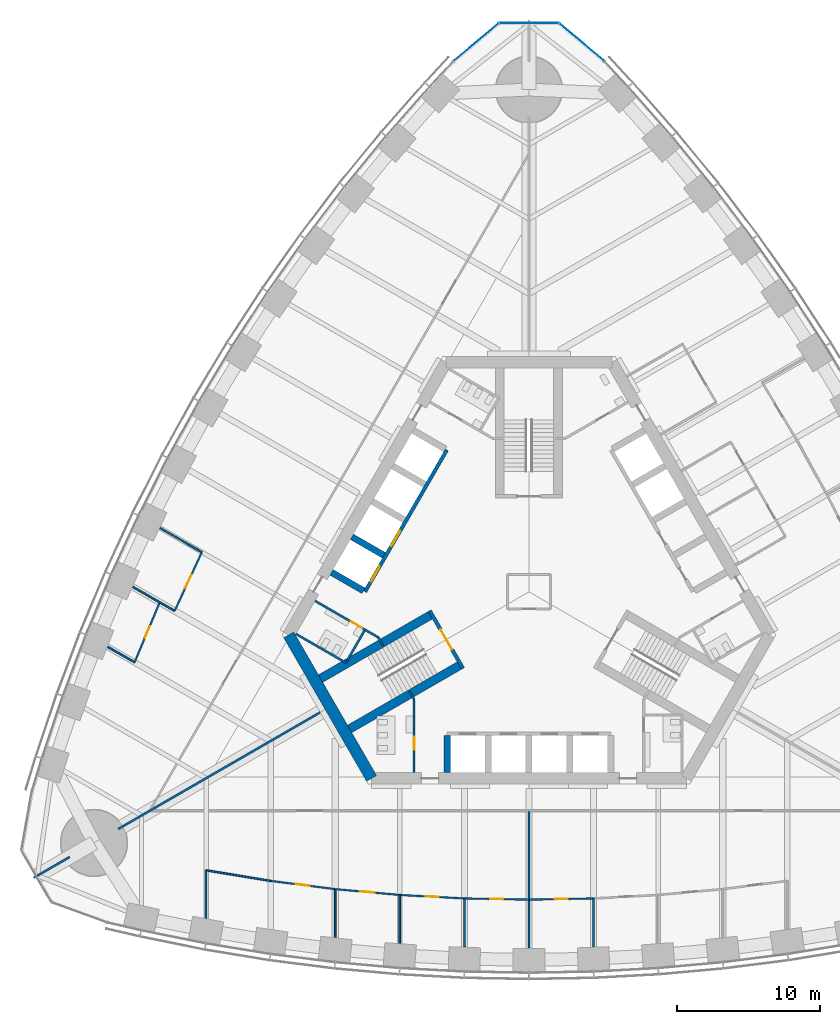
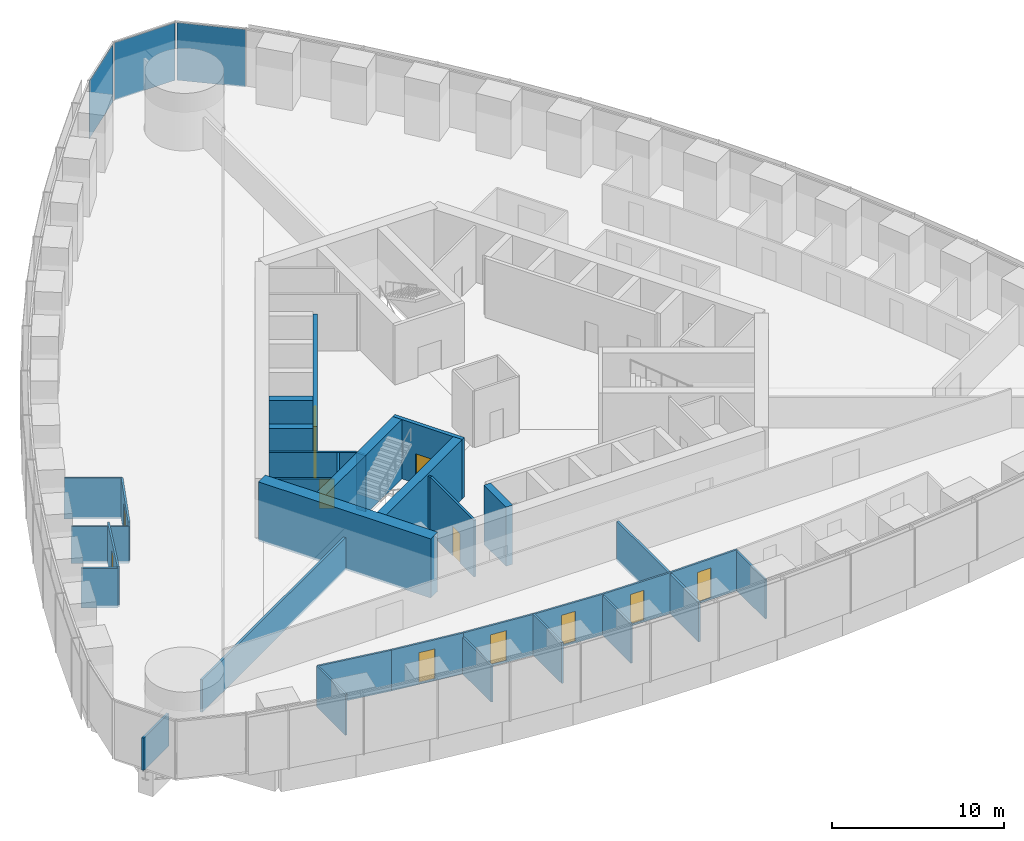
# One storey, part 10 of 18: 33 walls, 12 doors, 3 plates, 12 openings, 1 element without a shape of its own.
"""IFC4 building model written with IfcOpenShell, lengths in metres."""

from ifc_helpers import new_model, si_unit, direction, frame, frame_2d, origin, origin_2d, place, context, subcontext, project, spatial, rectangle, extrude, material, layer, layer_set, type_object, element, fill, aggregate, save


model = new_model("IFC4")

# Units and contexts
model_context = context("Model", 3, precision=1e-05, world=origin(), true_north=direction((0.0, 1.0)))
body_context = subcontext(model_context, "Body", "Model", "MODEL_VIEW")
ifc_project = project(units=[si_unit("LENGTHUNIT", "METRE"), si_unit("AREAUNIT", "SQUARE_METRE"), si_unit("VOLUMEUNIT", "CUBIC_METRE"), si_unit("PLANEANGLEUNIT", "RADIAN"), si_unit("MASSUNIT", "GRAM", prefix="KILO")], contexts=[model_context])

# Site, building, storey
site_placement = place(None, origin())
site = spatial("IfcSite", under=ifc_project, at=site_placement, CompositionType="ELEMENT")
building_placement = place(site_placement, origin())
building = spatial("IfcBuilding", under=site, at=building_placement, Name="Trefoil Bronze Tower", CompositionType="ELEMENT")
storey_placement = place(building_placement, frame((0.0, 0.0, 111.5)))
storey = spatial("IfcBuildingStorey", under=building, at=storey_placement, Name="L25", CompositionType="ELEMENT", Elevation=111.5)

# Curtain wall, plates
ifc_material_1 = material(Name="Tinted solar-control glass", Category="glass")
curtain_wall_type = type_object("IfcCurtainWallType", Name="Bronze rounded corner curtain wall", PredefinedType="USERDEFINED", material=ifc_material_1)
curtain_wall_placement = place(storey_placement, origin())
curtain_wall = element("IfcCurtainWall", 1, at=curtain_wall_placement, inside=storey, type_object=curtain_wall_type, Name="CW-B L25 K2", ObjectType="CURTAIN WALL", PredefinedType="USERDEFINED")
ifc_material_2 = material(Name="Tinted solar-control glass", Category="glass")
ifc_layer_1 = layer(ifc_material_2, 0.030029296875)
ifc_layer_set_1 = layer_set([ifc_layer_1], Name="Bronze rounded corner curtain wall glass panel")
plate_type = type_object("IfcPlateType", Name="Bronze rounded corner curtain wall glass panel", PredefinedType="CURTAIN_PANEL", material=ifc_layer_set_1)
plate_1_placement = place(storey_placement, frame((3.6884765625, 38.294921875, 0.0), z_axis=(0.0, 0.0, 1.0), x_axis=(-0.766044443119, 0.642787609687, 0.0)))
plate_1 = element("IfcPlate", 2, at=plate_1_placement, type_object=plate_type, Name="CW-B L25 K2 panel 1", PredefinedType="CURTAIN_PANEL", context=body_context, shape_type="SweptSolid", body=[
    extrude(rectangle(XDim=4.044189453125, YDim=0.030029296875, at=origin_2d()), origin(), (0.0, 0.0, 1.0), 4.080078125),
])
plate_2_placement = place(storey_placement, frame((0.0, 39.637451171875, 0.0), z_axis=(0.0, 0.0, 1.0), x_axis=(-1.0, 0.0, 0.0)))
plate_2 = element("IfcPlate", 3, at=plate_2_placement, type_object=plate_type, Name="CW-B L25 K2 panel 2", PredefinedType="CURTAIN_PANEL", context=body_context, shape_type="SweptSolid", body=[
    extrude(rectangle(XDim=4.044189453125, YDim=0.030029296875, at=origin_2d()), origin(), (0.0, 0.0, 1.0), 4.080078125),
])
plate_3_placement = place(storey_placement, frame((-3.6884765625, 38.294921875, 0.0), z_axis=(0.0, 0.0, 1.0), x_axis=(-0.766044443119, -0.642787609687, 0.0)))
plate_3 = element("IfcPlate", 4, at=plate_3_placement, type_object=plate_type, Name="CW-B L25 K2 panel 3", PredefinedType="CURTAIN_PANEL", context=body_context, shape_type="SweptSolid", body=[
    extrude(rectangle(XDim=4.044189453125, YDim=0.030029296875, at=origin_2d()), origin(), (0.0, 0.0, 1.0), 4.080078125),
])
aggregate(curtain_wall, [plate_1, plate_2, plate_3])

# Wall
ifc_material_3 = material(Name="Concrete B80", Category="concrete")
ifc_layer_2 = layer(ifc_material_3, 0.800048828125)
ifc_layer_set_2 = layer_set([ifc_layer_2], Name="Core wall 800")
wall_type_1 = type_object("IfcWallType", Name="Core wall 800", PredefinedType="SHEAR", material=ifc_layer_set_2)
wall_1_placement = place(storey_placement, frame((-16.7431640625, -3.0, 0.0), z_axis=(0.0, 0.0, 1.0), x_axis=(0.499995765644, -0.866027848477, 0.0)))
element("IfcWall", 5, at=wall_1_placement, inside=storey, type_object=wall_type_1, Name="Core short wall 3 L25", PredefinedType="SHEAR", context=body_context, shape_type="SweptSolid", body=[
    extrude(rectangle(XDim=11.546875, YDim=0.800048828125, at=frame_2d((5.7734375, 0.0))), origin(), (0.0, 0.0, 1.0), 4.199951171875),
])

# Wall, opening, door
ifc_material_4 = material(Name="Glazed partition", Category="glass")
ifc_layer_3 = layer(ifc_material_4, 0.1201171875)
ifc_layer_set_3 = layer_set([ifc_layer_3], Name="Glazed partition 120")
wall_type_2 = type_object("IfcWallType", Name="Glazed partition 120", PredefinedType="PARTITIONING", material=ifc_layer_set_3)
wall_2_placement = place(storey_placement, frame((0.0, -21.44970703125, 0.0), z_axis=(0.0, 0.0, 1.0), x_axis=(0.999837820638, 0.018009231578, 0.0)))
wall_2 = element("IfcWall", 6, at=wall_2_placement, inside=storey, type_object=wall_type_2, Name="Partition F1 L25", PredefinedType="PARTITIONING", context=body_context, shape_type="SweptSolid", body=[
    extrude(rectangle(XDim=4.500732421875, YDim=0.1201171875, at=frame_2d((2.25048828125, 0.0))), origin(), (0.0, 0.0, 1.0), 2.89990234375),
])
opening_1_placement = place(wall_2_placement, frame((1.800048828125, 0.0, 0.14990234375)))
opening_1 = element("IfcOpeningElement", 7, at=opening_1_placement, cuts=wall_2, Name="Opening D8", PredefinedType="OPENING", context=body_context, shape_type="SweptSolid", body=[
    extrude(rectangle(XDim=0.89990234375, YDim=2.10009765625, at=frame_2d((0.449951171875, 1.050048828125))), frame((0.0, 0.070068359375, 0.0), z_axis=(0.0, -1.0, 0.0), x_axis=(1.0, 0.0, 0.0)), (0.0, 0.0, 1.0), 0.14013671875),
])
ifc_material_5 = material(Name="Timber door", Category="wood")
door_type_1 = type_object("IfcDoorType", Name="Office door 900", OperationType="SINGLE_SWING_LEFT", PredefinedType="DOOR", material=ifc_material_5)
door_1_placement = place(opening_1_placement, frame((0.89990234375, 0.0, 0.0), z_axis=(0.0, 0.0, 1.0), x_axis=(-1.0, 0.0, 0.0)))
door_1 = element("IfcDoor", 8, at=door_1_placement, inside=storey, type_object=door_type_1, Name="Office door F1 L25", OperationType="SINGLE_SWING_RIGHT", OverallHeight=2.10009765625, OverallWidth=0.89990234375, PredefinedType="DOOR", context=body_context, shape_type="SweptSolid", body=[
    extrude(rectangle(XDim=0.89990234375, YDim=2.10009765625, at=frame_2d((0.449951171875, 1.050048828125))), frame((0.0, 0.02490234375, 0.0), z_axis=(0.0, -1.0, 0.0), x_axis=(1.0, 0.0, 0.0)), (0.0, 0.0, 1.0), 0.050048828125),
])
fill(opening_1, door_1)

wall_3_placement = place(storey_placement, frame((-13.5, -20.7177734375, 0.0), z_axis=(0.0, 0.0, 1.0), x_axis=(0.995930325215, -0.090126507295, 0.0)))
wall_3 = element("IfcWall", 9, at=wall_3_placement, inside=storey, type_object=wall_type_2, Name="Partition F1 L25", PredefinedType="PARTITIONING", context=body_context, shape_type="SweptSolid", body=[
    extrude(rectangle(XDim=4.518310546875, YDim=0.1201171875, at=frame_2d((2.25927734375, 0.0))), origin(), (0.0, 0.0, 1.0), 2.89990234375),
])
opening_2_placement = place(wall_3_placement, frame((1.75, 0.0, 0.14990234375)))
opening_2 = element("IfcOpeningElement", 10, at=opening_2_placement, cuts=wall_3, Name="Opening D9", PredefinedType="OPENING", context=body_context, shape_type="SweptSolid", body=[
    extrude(rectangle(XDim=1.0, YDim=2.10009765625, at=frame_2d((0.5, 1.050048828125))), frame((0.0, 0.070068359375, 0.0), z_axis=(0.0, -1.0, 0.0), x_axis=(1.0, 0.0, 0.0)), (0.0, 0.0, 1.0), 0.14013671875),
])
ifc_material_6 = material(Name="Glazed timber door", Category="wood")
door_type_2 = type_object("IfcDoorType", Name="Meeting room door 1000", OperationType="SINGLE_SWING_LEFT", PredefinedType="DOOR", material=ifc_material_6)
door_2_placement = place(opening_2_placement, frame((1.0, 0.0, 0.0), z_axis=(0.0, 0.0, 1.0), x_axis=(-1.0, 0.0, 0.0)))
door_2 = element("IfcDoor", 11, at=door_2_placement, inside=storey, type_object=door_type_2, Name="Client meeting room door F1 L25", OperationType="SINGLE_SWING_RIGHT", OverallHeight=2.10009765625, OverallWidth=1.0, PredefinedType="DOOR", context=body_context, shape_type="SweptSolid", body=[
    extrude(rectangle(XDim=1.0, YDim=2.10009765625, at=frame_2d((0.5, 1.050048828125))), frame((0.0, 0.02490234375, 0.0), z_axis=(0.0, -1.0, 0.0), x_axis=(1.0, 0.0, 0.0)), (0.0, 0.0, 1.0), 0.050048828125),
])
fill(opening_2, door_2)

wall_4_placement = place(storey_placement, frame((-18.0, -20.1455078125, 0.0), z_axis=(0.0, 0.0, 1.0), x_axis=(0.992010652594, -0.12615413247, 0.0)))
wall_4 = element("IfcWall", 12, at=wall_4_placement, inside=storey, type_object=wall_type_2, Name="Partition F1 L25", PredefinedType="PARTITIONING", context=body_context, shape_type="SweptSolid", body=[
    extrude(rectangle(XDim=4.5361328125, YDim=0.1201171875, at=frame_2d((2.26806640625, 0.0))), origin(), (0.0, 0.0, 1.0), 2.89990234375),
])
opening_3_placement = place(wall_4_placement, frame((1.75, 0.0, 0.14990234375)))
opening_3 = element("IfcOpeningElement", 13, at=opening_3_placement, cuts=wall_4, Name="Opening D9", PredefinedType="OPENING", context=body_context, shape_type="SweptSolid", body=[
    extrude(rectangle(XDim=1.0, YDim=2.10009765625, at=frame_2d((0.5, 1.050048828125))), frame((0.0, 0.070068359375, 0.0), z_axis=(0.0, -1.0, 0.0), x_axis=(1.0, 0.0, 0.0)), (0.0, 0.0, 1.0), 0.14013671875),
])
door_3_placement = place(opening_3_placement, frame((1.0, 0.0, 0.0), z_axis=(0.0, 0.0, 1.0), x_axis=(-1.0, 0.0, 0.0)))
door_3 = element("IfcDoor", 14, at=door_3_placement, inside=storey, type_object=door_type_2, Name="Client meeting room door F1 L25", OperationType="SINGLE_SWING_RIGHT", OverallHeight=2.10009765625, OverallWidth=1.0, PredefinedType="DOOR", context=body_context, shape_type="SweptSolid", body=[
    extrude(rectangle(XDim=1.0, YDim=2.10009765625, at=frame_2d((0.5, 1.050048828125))), frame((0.0, 0.02490234375, 0.0), z_axis=(0.0, -1.0, 0.0), x_axis=(1.0, 0.0, 0.0)), (0.0, 0.0, 1.0), 0.050048828125),
])
fill(opening_3, door_3)

# Wall
wall_5_placement = place(storey_placement, frame((-22.5, -19.406005859375, 0.0), z_axis=(0.0, 0.0, 1.0), x_axis=(0.986764681833, -0.162158757664, 0.0)))
element("IfcWall", 15, at=wall_5_placement, inside=storey, type_object=wall_type_2, Name="Partition F1 L25", PredefinedType="PARTITIONING", context=body_context, shape_type="SweptSolid", body=[
    extrude(rectangle(XDim=4.560302734375, YDim=0.1201171875, at=frame_2d((2.2802734375, 0.0))), origin(), (0.0, 0.0, 1.0), 2.89990234375),
])

# Wall, opening, door
wall_6_placement = place(storey_placement, frame((-4.5, -21.36865234375, 0.0), z_axis=(0.0, 0.0, 1.0), x_axis=(0.999837820638, -0.018009231578, 0.0)))
wall_6 = element("IfcWall", 16, at=wall_6_placement, inside=storey, type_object=wall_type_2, Name="Partition F1 L25", PredefinedType="PARTITIONING", context=body_context, shape_type="SweptSolid", body=[
    extrude(rectangle(XDim=4.500732421875, YDim=0.1201171875, at=frame_2d((2.25048828125, 0.0))), origin(), (0.0, 0.0, 1.0), 2.89990234375),
])
opening_4_placement = place(wall_6_placement, frame((1.800048828125, 0.0, 0.14990234375)))
opening_4 = element("IfcOpeningElement", 17, at=opening_4_placement, cuts=wall_6, Name="Opening D8", PredefinedType="OPENING", context=body_context, shape_type="SweptSolid", body=[
    extrude(rectangle(XDim=0.89990234375, YDim=2.10009765625, at=frame_2d((0.449951171875, 1.050048828125))), frame((0.0, 0.070068359375, 0.0), z_axis=(0.0, -1.0, 0.0), x_axis=(1.0, 0.0, 0.0)), (0.0, 0.0, 1.0), 0.14013671875),
])
door_4_placement = place(opening_4_placement, frame((0.89990234375, 0.0, 0.0), z_axis=(0.0, 0.0, 1.0), x_axis=(-1.0, 0.0, 0.0)))
door_4 = element("IfcDoor", 18, at=door_4_placement, inside=storey, type_object=door_type_1, Name="Office door F1 L25", OperationType="SINGLE_SWING_RIGHT", OverallHeight=2.10009765625, OverallWidth=0.89990234375, PredefinedType="DOOR", context=body_context, shape_type="SweptSolid", body=[
    extrude(rectangle(XDim=0.89990234375, YDim=2.10009765625, at=frame_2d((0.449951171875, 1.050048828125))), frame((0.0, 0.02490234375, 0.0), z_axis=(0.0, -1.0, 0.0), x_axis=(1.0, 0.0, 0.0)), (0.0, 0.0, 1.0), 0.050048828125),
])
fill(opening_4, door_4)

wall_7_placement = place(storey_placement, frame((-9.0, -21.125, 0.0), z_axis=(0.0, 0.0, 1.0), x_axis=(0.998537376538, -0.054065771581, 0.0)))
wall_7 = element("IfcWall", 19, at=wall_7_placement, inside=storey, type_object=wall_type_2, Name="Partition F1 L25", PredefinedType="PARTITIONING", context=body_context, shape_type="SweptSolid", body=[
    extrude(rectangle(XDim=4.506591796875, YDim=0.1201171875, at=frame_2d((2.25341796875, 0.0))), origin(), (0.0, 0.0, 1.0), 2.89990234375),
])
opening_5_placement = place(wall_7_placement, frame((1.800048828125, 0.0, 0.14990234375)))
opening_5 = element("IfcOpeningElement", 20, at=opening_5_placement, cuts=wall_7, Name="Opening D8", PredefinedType="OPENING", context=body_context, shape_type="SweptSolid", body=[
    extrude(rectangle(XDim=0.89990234375, YDim=2.10009765625, at=frame_2d((0.449951171875, 1.050048828125))), frame((0.0, 0.070068359375, 0.0), z_axis=(0.0, -1.0, 0.0), x_axis=(1.0, 0.0, 0.0)), (0.0, 0.0, 1.0), 0.14013671875),
])
door_5_placement = place(opening_5_placement, frame((0.89990234375, 0.0, 0.0), z_axis=(0.0, 0.0, 1.0), x_axis=(-1.0, 0.0, 0.0)))
door_5 = element("IfcDoor", 21, at=door_5_placement, inside=storey, type_object=door_type_1, Name="Office door F1 L25", OperationType="SINGLE_SWING_RIGHT", OverallHeight=2.10009765625, OverallWidth=0.89990234375, PredefinedType="DOOR", context=body_context, shape_type="SweptSolid", body=[
    extrude(rectangle(XDim=0.89990234375, YDim=2.10009765625, at=frame_2d((0.449951171875, 1.050048828125))), frame((0.0, 0.02490234375, 0.0), z_axis=(0.0, -1.0, 0.0), x_axis=(1.0, 0.0, 0.0)), (0.0, 0.0, 1.0), 0.050048828125),
])
fill(opening_5, door_5)

# Walls
wall_8_placement = place(storey_placement, frame((4.5, -21.36865234375, 0.0), z_axis=(0.0, 0.0, 1.0), x_axis=(0.0, -1.0, 0.0)))
element("IfcWall", 22, at=wall_8_placement, inside=storey, type_object=wall_type_2, Name="Partition F1 L25", PredefinedType="PARTITIONING", context=body_context, shape_type="SweptSolid", body=[
    extrude(rectangle(XDim=3.368896484375, YDim=0.1201171875, at=frame_2d((1.6845703125, 0.0))), origin(), (0.0, 0.0, 1.0), 2.800048828125),
])
wall_9_placement = place(storey_placement, frame((-13.5, -20.7177734375, 0.0), z_axis=(0.0, 0.0, 1.0), x_axis=(0.0, -1.0, 0.0)))
element("IfcWall", 23, at=wall_9_placement, inside=storey, type_object=wall_type_2, Name="Partition F1 L25", PredefinedType="PARTITIONING", context=body_context, shape_type="SweptSolid", body=[
    extrude(rectangle(XDim=3.3603515625, YDim=0.1201171875, at=frame_2d((1.68017578125, 0.0))), origin(), (0.0, 0.0, 1.0), 2.60009765625),
])
wall_10_placement = place(storey_placement, frame((-22.5, -19.406005859375, 0.0), z_axis=(0.0, 0.0, 1.0), x_axis=(0.0, -1.0, 0.0)))
element("IfcWall", 24, at=wall_10_placement, inside=storey, type_object=wall_type_2, Name="Partition F1 L25", PredefinedType="PARTITIONING", context=body_context, shape_type="SweptSolid", body=[
    extrude(rectangle(XDim=3.343017578125, YDim=0.1201171875, at=frame_2d((1.67138671875, 0.0))), origin(), (0.0, 0.0, 1.0), 2.89990234375),
])
wall_11_placement = place(storey_placement, frame((-4.5, -21.36865234375, 0.0), z_axis=(0.0, 0.0, 1.0), x_axis=(0.0, -1.0, 0.0)))
element("IfcWall", 25, at=wall_11_placement, inside=storey, type_object=wall_type_2, Name="Partition F1 L25", PredefinedType="PARTITIONING", context=body_context, shape_type="SweptSolid", body=[
    extrude(rectangle(XDim=3.368896484375, YDim=0.1201171875, at=frame_2d((1.6845703125, 0.0))), origin(), (0.0, 0.0, 1.0), 2.800048828125),
])
wall_12_placement = place(storey_placement, frame((-9.0, -21.125, 0.0), z_axis=(0.0, 0.0, 1.0), x_axis=(0.0, -1.0, 0.0)))
element("IfcWall", 26, at=wall_12_placement, inside=storey, type_object=wall_type_2, Name="Partition F1 L25", PredefinedType="PARTITIONING", context=body_context, shape_type="SweptSolid", body=[
    extrude(rectangle(XDim=3.36572265625, YDim=0.1201171875, at=frame_2d((1.682861328125, 0.0))), origin(), (0.0, 0.0, 1.0), 2.89990234375),
])

# Wall, opening, door
wall_13_placement = place(storey_placement, frame((-25.7314453125, -0.732421875, 0.0), z_axis=(0.0, 0.0, 1.0), x_axis=(-0.386742917128, -0.92218757097, 0.0)))
wall_13 = element("IfcWall", 27, at=wall_13_placement, inside=storey, type_object=wall_type_2, Name="Partition F3 L25", PredefinedType="PARTITIONING", context=body_context, shape_type="SweptSolid", body=[
    extrude(rectangle(XDim=4.536376953125, YDim=0.1201171875, at=frame_2d((2.26806640625, 0.0))), origin(), (0.0, 0.0, 1.0), 2.89990234375),
])
opening_6_placement = place(wall_13_placement, frame((1.800048828125, 0.0, 0.14990234375)))
opening_6 = element("IfcOpeningElement", 28, at=opening_6_placement, cuts=wall_13, Name="Opening D8", PredefinedType="OPENING", context=body_context, shape_type="SweptSolid", body=[
    extrude(rectangle(XDim=0.89990234375, YDim=2.10009765625, at=frame_2d((0.449951171875, 1.050048828125))), frame((0.0, 0.070068359375, 0.0), z_axis=(0.0, -1.0, 0.0), x_axis=(1.0, 0.0, 0.0)), (0.0, 0.0, 1.0), 0.14013671875),
])
door_6_placement = place(opening_6_placement, frame((0.89990234375, 0.0, 0.0), z_axis=(0.0, 0.0, 1.0), x_axis=(-1.0, 0.0, 0.0)))
door_6 = element("IfcDoor", 29, at=door_6_placement, inside=storey, type_object=door_type_1, Name="Pantry door F3 L25", OperationType="SINGLE_SWING_RIGHT", OverallHeight=2.10009765625, OverallWidth=0.89990234375, PredefinedType="DOOR", context=body_context, shape_type="SweptSolid", body=[
    extrude(rectangle(XDim=0.89990234375, YDim=2.10009765625, at=frame_2d((0.449951171875, 1.050048828125))), frame((0.0, 0.02490234375, 0.0), z_axis=(0.0, -1.0, 0.0), x_axis=(1.0, 0.0, 0.0)), (0.0, 0.0, 1.0), 0.050048828125),
])
fill(opening_6, door_6)

wall_14_placement = place(storey_placement, frame((-22.794677734375, 2.768310546875, 0.0), z_axis=(0.0, 0.0, 1.0), x_axis=(-0.41992827805, -0.90755729367, 0.0)))
wall_14 = element("IfcWall", 30, at=wall_14_placement, inside=storey, type_object=wall_type_2, Name="Partition F3 L25", PredefinedType="PARTITIONING", context=body_context, shape_type="SweptSolid", body=[
    extrude(rectangle(XDim=4.5185546875, YDim=0.1201171875, at=frame_2d((2.25927734375, 0.0))), origin(), (0.0, 0.0, 1.0), 2.89990234375),
])
opening_7_placement = place(wall_14_placement, frame((1.75, 0.0, 0.14990234375)))
opening_7 = element("IfcOpeningElement", 31, at=opening_7_placement, cuts=wall_14, Name="Opening D9", PredefinedType="OPENING", context=body_context, shape_type="SweptSolid", body=[
    extrude(rectangle(XDim=1.0, YDim=2.10009765625, at=frame_2d((0.5, 1.050048828125))), frame((0.0, 0.070068359375, 0.0), z_axis=(0.0, -1.0, 0.0), x_axis=(1.0, 0.0, 0.0)), (0.0, 0.0, 1.0), 0.14013671875),
])
door_7_placement = place(opening_7_placement, frame((1.0, 0.0, 0.0), z_axis=(0.0, 0.0, 1.0), x_axis=(-1.0, 0.0, 0.0)))
door_7 = element("IfcDoor", 32, at=door_7_placement, inside=storey, type_object=door_type_2, Name="Meeting room door F3 L25", OperationType="SINGLE_SWING_RIGHT", OverallHeight=2.10009765625, OverallWidth=1.0, PredefinedType="DOOR", context=body_context, shape_type="SweptSolid", body=[
    extrude(rectangle(XDim=1.0, YDim=2.10009765625, at=frame_2d((0.5, 1.050048828125))), frame((0.0, 0.02490234375, 0.0), z_axis=(0.0, -1.0, 0.0), x_axis=(1.0, 0.0, 0.0)), (0.0, 0.0, 1.0), 0.050048828125),
])
fill(opening_7, door_7)

# Walls
wall_15_placement = place(storey_placement, frame((-24.692138671875, -1.33251953125, 0.0), z_axis=(0.0, 0.0, 1.0), x_axis=(-0.866025882247, 0.499999171277, 0.0)))
element("IfcWall", 33, at=wall_15_placement, inside=storey, type_object=wall_type_2, Name="Partition F3 L25", PredefinedType="PARTITIONING", context=body_context, shape_type="SweptSolid", body=[
    extrude(rectangle(XDim=3.3603515625, YDim=0.1201171875, at=frame_2d((1.68017578125, 0.0))), origin(), (0.0, 0.0, 1.0), 2.60009765625),
])
wall_16_placement = place(storey_placement, frame((-27.48583984375, -4.915771484375, 0.0), z_axis=(0.0, 0.0, 1.0), x_axis=(-0.865987299264, 0.500065993159, 0.0)))
element("IfcWall", 34, at=wall_16_placement, inside=storey, type_object=wall_type_2, Name="Partition F3 L25", PredefinedType="PARTITIONING", context=body_context, shape_type="SweptSolid", body=[
    extrude(rectangle(XDim=2.153076171875, YDim=0.1201171875, at=frame_2d((1.07666015625, 0.0))), origin(), (0.0, 0.0, 1.0), 2.800048828125),
])
wall_17_placement = place(storey_placement, frame((-22.794677734375, 2.768310546875, 0.0), z_axis=(0.0, 0.0, 1.0), x_axis=(-0.866024928363, 0.500000823453, 0.0)))
element("IfcWall", 35, at=wall_17_placement, inside=storey, type_object=wall_type_2, Name="Partition F3 L25", PredefinedType="PARTITIONING", context=body_context, shape_type="SweptSolid", body=[
    extrude(rectangle(XDim=3.36572265625, YDim=0.1201171875, at=frame_2d((1.682861328125, 0.0))), origin(), (0.0, 0.0, 1.0), 2.89990234375),
])
ifc_material_7 = material(Name="Concrete B80", Category="concrete")
ifc_layer_4 = layer(ifc_material_7, 0.449951171875)
ifc_layer_set_4 = layer_set([ifc_layer_4], Name="Outrigger shaft wall 450")
wall_type_3 = type_object("IfcWallType", Name="Outrigger shaft wall 450", PredefinedType="SHEAR", material=ifc_layer_set_4)
wall_18_placement = place(storey_placement, frame((-5.699951171875, -10.02490234375, 0.0), z_axis=(0.0, 0.0, 1.0), x_axis=(0.0, -1.0, 0.0)))
element("IfcWall", 36, at=wall_18_placement, inside=storey, type_object=wall_type_3, Name="Lift shaft side wall A0 L25", PredefinedType="SHEAR", context=body_context, shape_type="SweptSolid", body=[
    extrude(rectangle(XDim=2.5751953125, YDim=0.449951171875, at=frame_2d((1.28759765625, 0.0))), origin(), (0.0, 0.0, 1.0), 4.199951171875),
])
for number, where, z_axis, x_axis, name in (
    (37, (-10.10693359375, 2.54443359375, 0.0), (0.0, 0.0, 1.0), (-0.866046643894, 0.499963209246, 0.0), "Lift shaft side wall C3 L25"),
    (38, (-11.531982421875, 0.076171875, 0.0), (0.0, 0.0, 1.0), (-0.866005588531, 0.500034319456, 0.0), "Lift shaft side wall C4 L25"),
):
    element("IfcWall", number, at=place(storey_placement, frame(where, z_axis=z_axis, x_axis=x_axis)), inside=storey, type_object=wall_type_3, Name=name, PredefinedType="SHEAR", context=body_context, shape_type="SweptSolid", body=[
        extrude(rectangle(XDim=2.574951171875, YDim=0.449951171875, at=frame_2d((1.28759765625, 0.0))), origin(), (0.0, 0.0, 1.0), 4.199951171875),
    ])

# Wall, opening, door
ifc_material_8 = material(Name="Gypsum board on steel studs", Category="steel")
ifc_layer_5 = layer(ifc_material_8, 0.14990234375)
ifc_layer_set_5 = layer_set([ifc_layer_5], Name="Partition 150")
wall_type_4 = type_object("IfcWallType", Name="Partition 150", PredefinedType="PARTITIONING", material=ifc_layer_set_5)
wall_19_placement = place(storey_placement, frame((-8.0, -7.5, 0.0), z_axis=(0.0, 0.0, 1.0), x_axis=(0.0, -1.0, 0.0)))
wall_19 = element("IfcWall", 39, at=wall_19_placement, inside=storey, type_object=wall_type_4, Name="Passage wall F1- L25", PredefinedType="PARTITIONING", context=body_context, shape_type="SweptSolid", body=[
    extrude(rectangle(XDim=5.10009765625, YDim=0.14990234375, at=frame_2d((2.550048828125, 0.0))), origin(), (0.0, 0.0, 1.0), 4.0),
])
opening_8_placement = place(wall_19_placement, frame((2.60009765625, 0.0, 0.0)))
opening_8 = element("IfcOpeningElement", 40, at=opening_8_placement, cuts=wall_19, Name="Opening D3", PredefinedType="OPENING", context=body_context, shape_type="SweptSolid", body=[
    extrude(rectangle(XDim=0.89990234375, YDim=2.10009765625, at=frame_2d((0.449951171875, 1.050048828125))), frame((0.0, 0.0849609375, 0.0), z_axis=(0.0, -1.0, 0.0), x_axis=(1.0, 0.0, 0.0)), (0.0, 0.0, 1.0), 0.169921875),
])
ifc_material_9 = material(Name="Timber door", Category="wood")
door_type_3 = type_object("IfcDoorType", Name="WC door 900", OperationType="SINGLE_SWING_LEFT", PredefinedType="DOOR", material=ifc_material_9)
door_8_placement = place(opening_8_placement, frame((0.89990234375, 0.0, 0.0), z_axis=(0.0, 0.0, 1.0), x_axis=(-1.0, 0.0, 0.0)))
door_8 = element("IfcDoor", 41, at=door_8_placement, inside=storey, type_object=door_type_3, Name="WC (women) door L25", OperationType="SINGLE_SWING_LEFT", OverallHeight=2.10009765625, OverallWidth=0.89990234375, PredefinedType="DOOR", context=body_context, shape_type="SweptSolid", body=[
    extrude(rectangle(XDim=0.89990234375, YDim=2.10009765625, at=frame_2d((0.449951171875, 1.050048828125))), frame((0.0, 0.02490234375, 0.0), z_axis=(0.0, -1.0, 0.0), x_axis=(1.0, 0.0, 0.0)), (0.0, 0.0, 1.0), 0.050048828125),
])
fill(opening_8, door_8)

wall_20_placement = place(storey_placement, frame((-10.4951171875, -3.17822265625, 0.0), z_axis=(0.0, 0.0, 1.0), x_axis=(-0.86602216432, 0.500005610874, 0.0)))
wall_20 = element("IfcWall", 42, at=wall_20_placement, inside=storey, type_object=wall_type_4, Name="Passage wall F3+ L25", PredefinedType="PARTITIONING", context=body_context, shape_type="SweptSolid", body=[
    extrude(rectangle(XDim=5.10009765625, YDim=0.14990234375, at=frame_2d((2.550048828125, 0.0))), origin(), (0.0, 0.0, 1.0), 4.0),
])
opening_9_placement = place(wall_20_placement, frame((1.300048828125, 0.0, 0.0)))
opening_9 = element("IfcOpeningElement", 43, at=opening_9_placement, cuts=wall_20, Name="Opening D3", PredefinedType="OPENING", context=body_context, shape_type="SweptSolid", body=[
    extrude(rectangle(XDim=0.89990234375, YDim=2.10009765625, at=frame_2d((0.449951171875, 1.050048828125))), frame((0.0, 0.0849609375, 0.0), z_axis=(0.0, -1.0, 0.0), x_axis=(1.0, 0.0, 0.0)), (0.0, 0.0, 1.0), 0.169921875),
])
door_9_placement = place(opening_9_placement, origin())
door_9 = element("IfcDoor", 44, at=door_9_placement, inside=storey, type_object=door_type_3, Name="WC (men) door L25", OperationType="SINGLE_SWING_LEFT", OverallHeight=2.10009765625, OverallWidth=0.89990234375, PredefinedType="DOOR", context=body_context, shape_type="SweptSolid", body=[
    extrude(rectangle(XDim=0.89990234375, YDim=2.10009765625, at=frame_2d((0.449951171875, 1.050048828125))), frame((0.0, 0.02490234375, 0.0), z_axis=(0.0, -1.0, 0.0), x_axis=(1.0, 0.0, 0.0)), (0.0, 0.0, 1.0), 0.050048828125),
])
fill(opening_9, door_9)

# Walls
for number, where, z_axis, x_axis, name in (
    (45, (-10.4951171875, -3.17822265625, 0.0), (0.0, 0.0, 1.0), (0.499842556608, -0.866116284689, 0.0), "WC wall ST3-1 L25"),
    (46, (-8.0, -7.5, 0.0), (0.0, 0.0, 1.0), (-0.499842556608, 0.866116284689, 0.0), "WC wall ST3+1 L25"),
):
    element("IfcWall", number, at=place(storey_placement, frame(where, z_axis=z_axis, x_axis=x_axis)), inside=storey, type_object=wall_type_4, Name=name, PredefinedType="PARTITIONING", context=body_context, shape_type="SweptSolid", body=[
        extrude(rectangle(XDim=0.645263671875, YDim=0.14990234375, at=frame_2d((0.32275390625, 0.0))), origin(), (0.0, 0.0, 1.0), 4.0),
    ])
wall_21_placement = place(storey_placement, frame((-12.691162109375, -4.98193359375, 0.0), z_axis=(0.0, 0.0, 1.0), x_axis=(-0.8660249478, 0.500000789788, 0.0)))
element("IfcWall", 47, at=wall_21_placement, inside=storey, type_object=wall_type_4, Name="WC partition WC (men) L25", PredefinedType="PARTITIONING", context=body_context, shape_type="SweptSolid", body=[
    extrude(rectangle(XDim=4.10009765625, YDim=0.14990234375, at=frame_2d((2.050048828125, 0.0))), origin(), (0.0, 0.0, 1.0), 4.0),
])
wall_22_placement = place(storey_placement, frame((-11.463623046875, -2.70556640625, 0.0), z_axis=(0.0, 0.0, 1.0), x_axis=(-0.50001992892, -0.866013897511, 0.0)))
element("IfcWall", 48, at=wall_22_placement, inside=storey, type_object=wall_type_4, Name="WC partition WC (men) L25", PredefinedType="PARTITIONING", context=body_context, shape_type="SweptSolid", body=[
    extrude(rectangle(XDim=2.51025390625, YDim=0.14990234375, at=frame_2d((1.255126953125, 0.0))), origin(), (0.0, 0.0, 1.0), 4.0),
])
ifc_material_10 = material(Name="Gypsum board on steel studs", Category="steel")
ifc_layer_6 = layer(ifc_material_10, 0.14990234375)
ifc_layer_set_6 = layer_set([ifc_layer_6], Name="Party wall 150")
wall_type_5 = type_object("IfcWallType", Name="Party wall 150", PredefinedType="PARTITIONING", material=ifc_layer_set_6)
wall_23_placement = place(storey_placement, frame((-14.202880859375, -8.199951171875, 0.0), z_axis=(0.0, 0.0, 1.0), x_axis=(-0.866024668836, -0.500001272966, 0.0)))
element("IfcWall", 49, at=wall_23_placement, inside=storey, type_object=wall_type_5, Name="Party wall K3 L25", PredefinedType="PARTITIONING", context=body_context, shape_type="SweptSolid", body=[
    extrude(rectangle(XDim=16.64990234375, YDim=0.14990234375, at=frame_2d((8.324951171875, 0.0))), origin(), (0.0, 0.0, 1.0), 2.300048828125),
])
wall_24_placement = place(storey_placement, frame((-31.999755859375, -18.47509765625, 0.0), z_axis=(0.0, 0.0, 1.0), x_axis=(-0.866042548026, -0.499970304126, 0.0)))
element("IfcWall", 50, at=wall_24_placement, inside=storey, type_object=wall_type_5, Name="Party wall K3 L25", PredefinedType="PARTITIONING", context=body_context, shape_type="SweptSolid", body=[
    extrude(rectangle(XDim=2.899169921875, YDim=0.14990234375, at=frame_2d((1.44970703125, 0.0))), origin(), (0.0, 0.0, 1.0), 2.300048828125),
])
wall_25_placement = place(storey_placement, frame((0.0, -15.320068359375, 0.0), z_axis=(0.0, 0.0, 1.0), x_axis=(0.0, -1.0, 0.0)))
element("IfcWall", 51, at=wall_25_placement, inside=storey, type_object=wall_type_5, Name="Demising wall F1 L25", PredefinedType="PARTITIONING", context=body_context, shape_type="SweptSolid", body=[
    extrude(rectangle(XDim=9.49951171875, YDim=0.14990234375, at=frame_2d((4.749755859375, 0.0))), origin(), (0.0, 0.0, 1.0), 2.800048828125),
])

# Wall, openings, doors
ifc_material_11 = material(Name="Concrete B80", Category="concrete")
ifc_layer_7 = layer(ifc_material_11, 0.25)
ifc_layer_set_7 = layer_set([ifc_layer_7], Name="Shaft wall 250")
wall_type_6 = type_object("IfcWallType", Name="Shaft wall 250", PredefinedType="SHEAR", material=ifc_layer_set_7)
wall_26_placement = place(storey_placement, frame((-5.7236328125, 9.88623046875, 0.0), z_axis=(0.0, 0.0, 1.0), x_axis=(-0.500001763848, -0.866024385424, 0.0)))
wall_26 = element("IfcWall", 52, at=wall_26_placement, inside=storey, type_object=wall_type_6, Name="Lift shaft front wall C L25", PredefinedType="SHEAR", context=body_context, shape_type="SweptSolid", body=[
    extrude(rectangle(XDim=11.39990234375, YDim=0.25, at=frame_2d((5.699951171875, 0.0))), origin(), (0.0, 0.0, 1.0), 4.199951171875),
])
opening_10_placement = place(wall_26_placement, frame((6.52490234375, 0.0, 0.0)))
opening_10 = element("IfcOpeningElement", 53, at=opening_10_placement, cuts=wall_26, Name="Opening LD-FL1", PredefinedType="OPENING", context=body_context, shape_type="SweptSolid", body=[
    extrude(rectangle(XDim=1.199951171875, YDim=2.199951171875, at=frame_2d((0.60009765625, 1.10009765625))), frame((0.0, 0.135009765625, 0.0), z_axis=(0.0, -1.0, 0.0), x_axis=(1.0, 0.0, 0.0)), (0.0, 0.0, 1.0), 0.27001953125),
])
opening_11_placement = place(wall_26_placement, frame((9.375, 0.0, 0.0)))
opening_11 = element("IfcOpeningElement", 54, at=opening_11_placement, cuts=wall_26, Name="Opening LD-FL2", PredefinedType="OPENING", context=body_context, shape_type="SweptSolid", body=[
    extrude(rectangle(XDim=1.199951171875, YDim=2.199951171875, at=frame_2d((0.60009765625, 1.10009765625))), frame((0.0, 0.135009765625, 0.0), z_axis=(0.0, -1.0, 0.0), x_axis=(1.0, 0.0, 0.0)), (0.0, 0.0, 1.0), 0.27001953125),
])
ifc_material_12 = material(Name="Steel door", Category="steel")
door_type_4 = type_object("IfcDoorType", Name="Lift landing door 1200", OperationType="DOUBLE_DOOR_SLIDING", PredefinedType="DOOR", material=ifc_material_12)
door_10_placement = place(opening_10_placement, origin())
door_10 = element("IfcDoor", 55, at=door_10_placement, inside=storey, type_object=door_type_4, Name="Lift FL1 landing door L25", OperationType="DOUBLE_DOOR_SLIDING", OverallHeight=2.199951171875, OverallWidth=1.199951171875, PredefinedType="DOOR", context=body_context, shape_type="SweptSolid", body=[
    extrude(rectangle(XDim=1.199951171875, YDim=2.199951171875, at=frame_2d((0.60009765625, 1.10009765625))), frame((0.0, 0.02490234375, 0.0), z_axis=(0.0, -1.0, 0.0), x_axis=(1.0, 0.0, 0.0)), (0.0, 0.0, 1.0), 0.050048828125),
])
fill(opening_10, door_10)
door_11_placement = place(opening_11_placement, origin())
door_11 = element("IfcDoor", 56, at=door_11_placement, inside=storey, type_object=door_type_4, Name="Lift FL2 landing door L25", OperationType="DOUBLE_DOOR_SLIDING", OverallHeight=2.199951171875, OverallWidth=1.199951171875, PredefinedType="DOOR", context=body_context, shape_type="SweptSolid", body=[
    extrude(rectangle(XDim=1.199951171875, YDim=2.199951171875, at=frame_2d((0.60009765625, 1.10009765625))), frame((0.0, 0.02490234375, 0.0), z_axis=(0.0, -1.0, 0.0), x_axis=(1.0, 0.0, 0.0)), (0.0, 0.0, 1.0), 0.050048828125),
])
fill(opening_11, door_11)

# Wall, opening, door
wall_27_placement = place(storey_placement, frame((-6.921630859375, -1.3115234375, 0.0), z_axis=(0.0, 0.0, 1.0), x_axis=(0.499984536904, -0.866034331223, 0.0)))
wall_27 = element("IfcWall", 57, at=wall_27_placement, inside=storey, type_object=wall_type_6, Name="Stair end wall ST3 L25", PredefinedType="SHEAR", context=body_context, shape_type="SweptSolid", body=[
    extrude(rectangle(XDim=4.650146484375, YDim=0.25, at=frame_2d((2.3251953125, 0.0))), origin(), (0.0, 0.0, 1.0), 4.199951171875),
])
opening_12_placement = place(wall_27_placement, frame((1.52490234375, 0.0, 0.0)))
opening_12 = element("IfcOpeningElement", 58, at=opening_12_placement, cuts=wall_27, Name="Opening D1", PredefinedType="OPENING", context=body_context, shape_type="SweptSolid", body=[
    extrude(rectangle(XDim=1.60009765625, YDim=2.10009765625, at=frame_2d((0.800048828125, 1.050048828125))), frame((0.0, 0.135009765625, 0.0), z_axis=(0.0, -1.0, 0.0), x_axis=(1.0, 0.0, 0.0)), (0.0, 0.0, 1.0), 0.27001953125),
])
ifc_material_13 = material(Name="Steel door", Category="steel")
door_type_5 = type_object("IfcDoorType", Name="Stair door 1600", OperationType="DOUBLE_DOOR_SINGLE_SWING", PredefinedType="DOOR", material=ifc_material_13)
door_12_placement = place(opening_12_placement, frame((1.60009765625, 0.0, 0.0), z_axis=(0.0, 0.0, 1.0), x_axis=(-1.0, 0.0, 0.0)))
door_12 = element("IfcDoor", 59, at=door_12_placement, inside=storey, type_object=door_type_5, Name="Stair door ST3 L25", OperationType="DOUBLE_DOOR_SINGLE_SWING", OverallHeight=2.10009765625, OverallWidth=1.60009765625, PredefinedType="DOOR", context=body_context, shape_type="SweptSolid", body=[
    extrude(rectangle(XDim=1.60009765625, YDim=2.10009765625, at=frame_2d((0.800048828125, 1.050048828125))), frame((0.0, 0.02490234375, 0.0), z_axis=(0.0, -1.0, 0.0), x_axis=(1.0, 0.0, 0.0)), (0.0, 0.0, 1.0), 0.050048828125),
])
fill(opening_12, door_12)

# Walls
ifc_material_14 = material(Name="Concrete B80", Category="concrete")
ifc_layer_8 = layer(ifc_material_14, 0.60009765625)
ifc_layer_set_8 = layer_set([ifc_layer_8], Name="Stair wall 600")
wall_type_7 = type_object("IfcWallType", Name="Stair wall 600", PredefinedType="SHEAR", material=ifc_layer_set_8)
for number, where, z_axis, x_axis, name in (
    (60, (-6.663330078125, -1.5087890625, 0.0), (0.0, 0.0, 1.0), (-0.866019375473, -0.500010441196, 0.0), "Stair wall ST3 L25"),
    (61, (-4.638427734375, -5.01611328125, 0.0), (0.0, 0.0, 1.0), (-0.866019375473, -0.500010441196, 0.0), "Stair wall ST3 L25"),
):
    element("IfcWall", number, at=place(storey_placement, frame(where, z_axis=z_axis, x_axis=x_axis)), inside=storey, type_object=wall_type_7, Name=name, PredefinedType="SHEAR", context=body_context, shape_type="SweptSolid", body=[
        extrude(rectangle(XDim=9.074951171875, YDim=0.60009765625, at=frame_2d((4.53759765625, 0.0))), origin(), (0.0, 0.0, 1.0), 4.199951171875),
    ])

save(model, "model.ifc")
